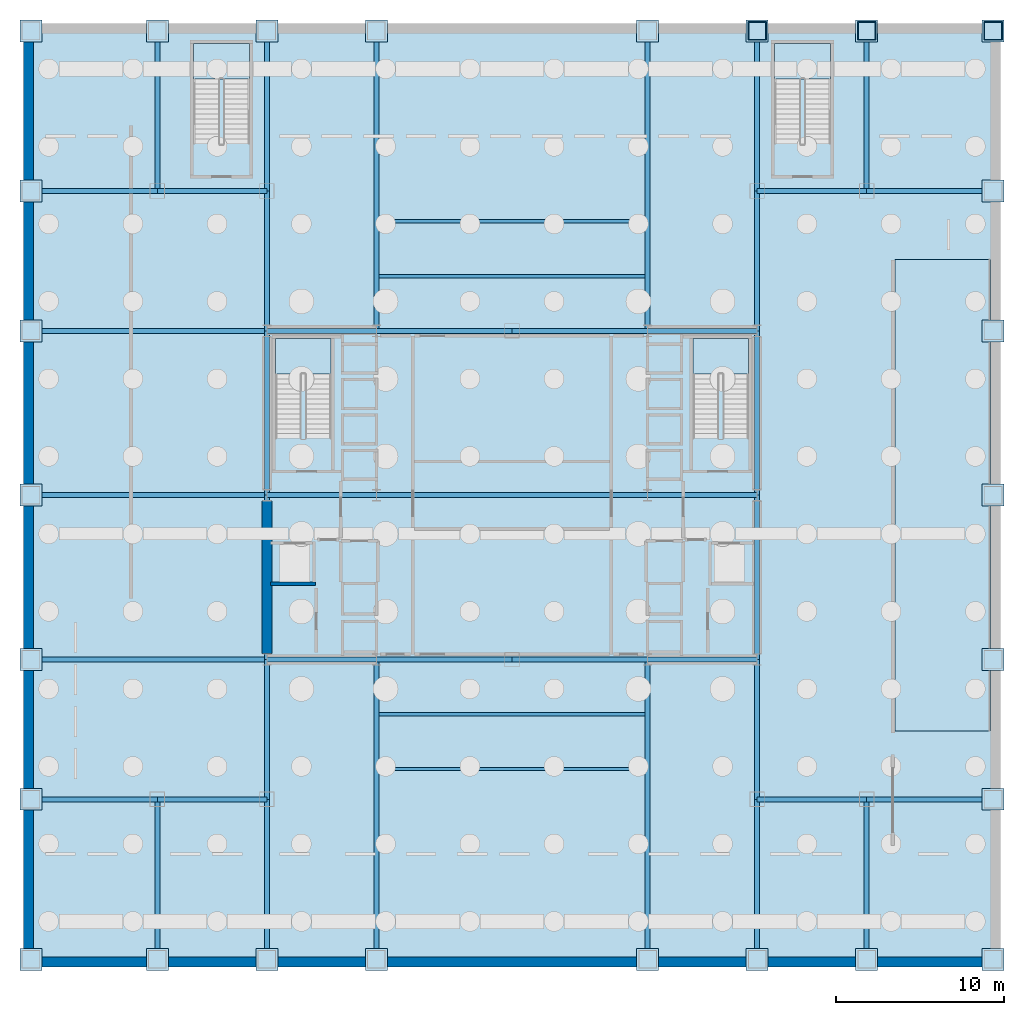
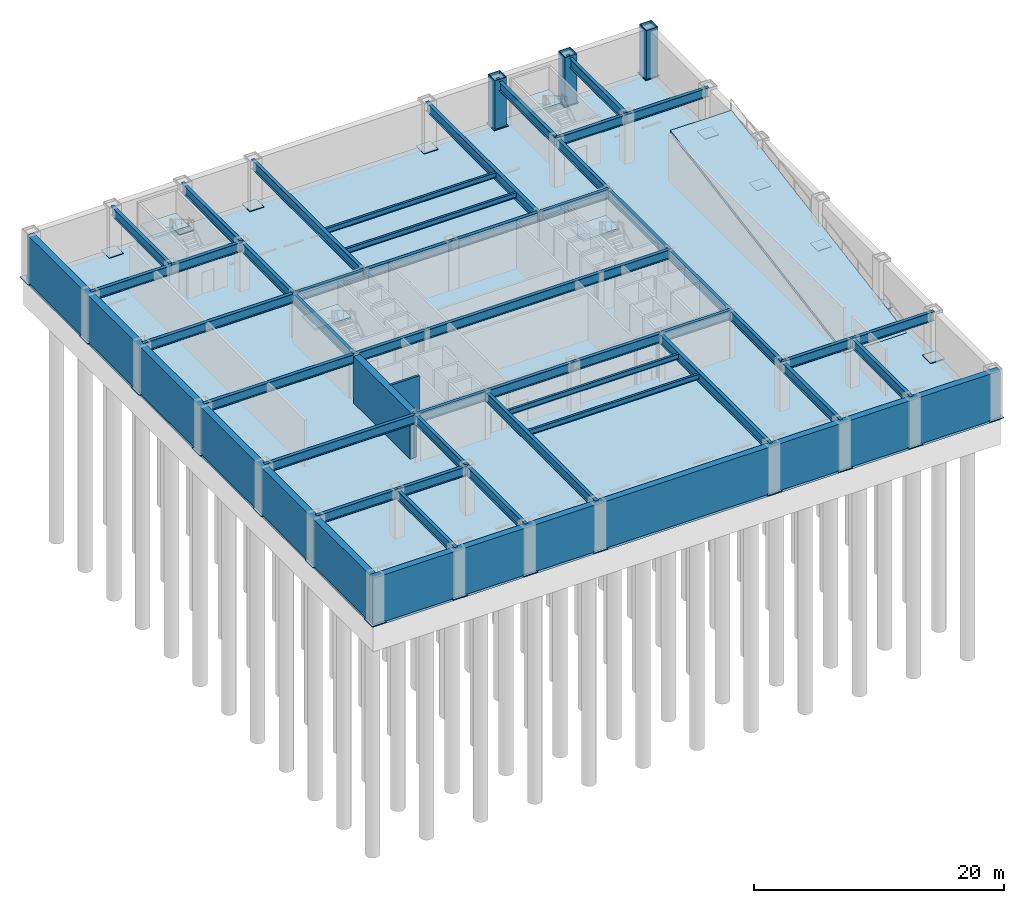
# One storey, part 2 of 8: 46 beams, 26 plates, 6 slabs, 4 walls, 3 columns, 4 elements without a shape of their own.
"""IFC4 building model written with IfcOpenShell, lengths in metres."""

from ifc_helpers import new_model, si_unit, direction, frame, frame_2d, origin, origin_2d, place, context, subcontext, project, spatial, polyline, rectangle, hollow_rectangle, i_section, outline, extrude, material, layer, layer_set, material_profile, profile_set, type_object, element, aggregate, save


model = new_model("IFC4")

# Units and contexts
model_context = context("Model", 3, precision=1e-05, world=origin(), true_north=direction((0.0, 1.0)))
body_context = subcontext(model_context, "Body", "Model", "MODEL_VIEW")
ifc_project = project(units=[si_unit("LENGTHUNIT", "METRE"), si_unit("AREAUNIT", "SQUARE_METRE"), si_unit("VOLUMEUNIT", "CUBIC_METRE"), si_unit("PLANEANGLEUNIT", "RADIAN"), si_unit("MASSUNIT", "GRAM", prefix="KILO")], contexts=[model_context])

# Site, building, storey
site_placement = place(None, origin())
site = spatial("IfcSite", under=ifc_project, at=site_placement, CompositionType="ELEMENT")
building_placement = place(site_placement, origin())
building = spatial("IfcBuilding", under=site, at=building_placement, Name="Brelmoor Portico Tower", CompositionType="ELEMENT")
storey_placement = place(building_placement, frame((0.0, 0.0, -9.60009765625)))
storey = spatial("IfcBuildingStorey", under=building, at=storey_placement, Name="B2", CompositionType="ELEMENT", Elevation=-9.60009765625)

# Columns
ifc_material_1 = material(Name="Steel Q420B", Category="steel")
ifc_material_profile_1 = material_profile(ifc_material_1, hollow_rectangle(XDim=1.10009765625, YDim=1.10009765625, WallThickness=0.054931640625, at=origin_2d()), Name="BOX 1100x1100x55")
ifc_profile_set_1 = profile_set([ifc_material_profile_1], Name="Steel Q420B")
column_type = type_object("IfcColumnType", Name="COL-MEGA-1100", PredefinedType="COLUMN", material=ifc_profile_set_1)
for number, where, z_axis, x_axis, name in (
    (1, (14.550048828125, 27.550048828125, 0.0), (0.0, 0.0, 1.0), (1.0, 0.0, 0.0), "B2 Perimeter Mega-Column PN14"),
    (2, (21.050048828125, 27.550048828125, 0.0), (0.0, 0.0, 1.0), (1.0, 0.0, 0.0), "B2 Perimeter Mega-Column PN15"),
    (3, (28.550048828125, 27.550048828125, 0.0), (0.0, 0.0, 1.0), (1.0, 0.0, 0.0), "B2 Perimeter Mega-Column PN16"),
):
    element("IfcColumn", number, at=place(storey_placement, frame(where, z_axis=z_axis, x_axis=x_axis)), inside=storey, type_object=column_type, Name=name, PredefinedType="COLUMN", context=body_context, shape_type="SweptSolid", body=[
        extrude(hollow_rectangle(XDim=1.10009765625, YDim=1.10009765625, WallThickness=0.054931640625, at=origin_2d()), origin(), (0.0, 0.0, 1.0), 4.800048828125),
    ])

# Beams
ifc_material_2 = material(Name="Steel Q355B", Category="steel")
ifc_material_profile_2 = material_profile(ifc_material_2, i_section(OverallWidth=0.199951171875, OverallDepth=0.5, WebThickness=0.010009765625, FlangeThickness=0.01611328125, at=origin_2d()), Name="HN 500x200x10x16")
ifc_profile_set_2 = profile_set([ifc_material_profile_2], Name="Steel Q355B")
beam_type_1 = type_object("IfcBeamType", Name="BM-JS-500", PredefinedType="JOIST", material=ifc_profile_set_2)
for number, where, z_axis, x_axis, name in (
    (4, (-7.89990234375, -16.25, 4.330078125), (1.0, 0.0, 0.0), (0.0, 1.0, 0.0), "B2 Secondary Composite Joist JS-C01"),
    (5, (-7.89990234375, -13.0, 4.330078125), (1.0, 0.0, 0.0), (0.0, 1.0, 0.0), "B2 Secondary Composite Joist JS-C02"),
    (6, (-7.89990234375, 13.0, 4.330078125), (1.0, 0.0, 0.0), (0.0, 1.0, 0.0), "B2 Secondary Composite Joist JS-C03"),
    (7, (-7.89990234375, 16.25, 4.330078125), (1.0, 0.0, 0.0), (0.0, 1.0, 0.0), "B2 Secondary Composite Joist JS-C04"),
):
    element("IfcBeam", number, at=place(storey_placement, frame(where, z_axis=z_axis, x_axis=x_axis)), inside=storey, type_object=beam_type_1, Name=name, PredefinedType="JOIST", context=body_context, shape_type="SweptSolid", body=[
        extrude(i_section(OverallWidth=0.199951171875, OverallDepth=0.5, WebThickness=0.010009765625, FlangeThickness=0.01611328125, at=origin_2d()), origin(), (0.0, 0.0, 1.0), 15.7998046875),
    ])
ifc_material_profile_3 = material_profile(ifc_material_2, i_section(OverallWidth=0.300048828125, OverallDepth=0.89990234375, WebThickness=0.01611328125, FlangeThickness=0.028076171875, at=origin_2d()), Name="HN 900x300x16x28")
ifc_profile_set_3 = profile_set([ifc_material_profile_3], Name="Steel Q355B")
beam_type_2 = type_object("IfcBeamType", Name="BM-PG-900", PredefinedType="BEAM", material=ifc_profile_set_3)
for number, where, z_axis, x_axis, name in (
    (8, (-21.050048828125, -27.550048828125, 4.130126953125), (0.0, 1.0, 0.0), (-1.0, 0.0, 0.0), "B2 Primary Floor Girder PG-01"),
    (9, (-21.050048828125, 18.050048828125, 4.130126953125), (0.0, 1.0, 0.0), (-1.0, 0.0, 0.0), "B2 Primary Floor Girder PG-02"),
    (10, (-14.550048828125, -27.550048828125, 4.130126953125), (0.0, 1.0, 0.0), (-1.0, 0.0, 0.0), "B2 Primary Floor Girder PG-03"),
):
    element("IfcBeam", number, at=place(storey_placement, frame(where, z_axis=z_axis, x_axis=x_axis)), inside=storey, type_object=beam_type_2, Name=name, PredefinedType="BEAM", context=body_context, shape_type="SweptSolid", body=[
        extrude(i_section(OverallWidth=0.300048828125, OverallDepth=0.89990234375, WebThickness=0.01611328125, FlangeThickness=0.028076171875, at=origin_2d()), origin(), (0.0, 0.0, 1.0), 9.5),
    ])
beam_1_placement = place(storey_placement, frame((-14.550048828125, -18.050048828125, 4.130126953125), z_axis=(0.0, 1.0, 0.0), x_axis=(-1.0, 0.0, 0.0)))
element("IfcBeam", 11, at=beam_1_placement, inside=storey, type_object=beam_type_2, Name="B2 Primary Floor Girder PG-04", PredefinedType="BEAM", context=body_context, shape_type="SweptSolid", body=[
    extrude(i_section(OverallWidth=0.300048828125, OverallDepth=0.89990234375, WebThickness=0.01611328125, FlangeThickness=0.028076171875, at=origin_2d()), origin(), (0.0, 0.0, 1.0), 8.300048828125),
])
for number, where, z_axis, x_axis, name in (
    (12, (-14.550048828125, -9.75, 4.130126953125), (0.0, 1.0, 0.0), (-1.0, 0.0, 0.0), "B2 Primary Floor Girder PG-05"),
    (13, (-14.550048828125, 0.0, 4.130126953125), (0.0, 1.0, 0.0), (-1.0, 0.0, 0.0), "B2 Primary Floor Girder PG-06"),
):
    element("IfcBeam", number, at=place(storey_placement, frame(where, z_axis=z_axis, x_axis=x_axis)), inside=storey, type_object=beam_type_2, Name=name, PredefinedType="BEAM", context=body_context, shape_type="SweptSolid", body=[
        extrude(i_section(OverallWidth=0.300048828125, OverallDepth=0.89990234375, WebThickness=0.01611328125, FlangeThickness=0.028076171875, at=origin_2d()), origin(), (0.0, 0.0, 1.0), 9.75),
    ])
beam_2_placement = place(storey_placement, frame((-14.550048828125, 9.75, 4.130126953125), z_axis=(0.0, 1.0, 0.0), x_axis=(-1.0, 0.0, 0.0)))
element("IfcBeam", 14, at=beam_2_placement, inside=storey, type_object=beam_type_2, Name="B2 Primary Floor Girder PG-07", PredefinedType="BEAM", context=body_context, shape_type="SweptSolid", body=[
    extrude(i_section(OverallWidth=0.300048828125, OverallDepth=0.89990234375, WebThickness=0.01611328125, FlangeThickness=0.028076171875, at=origin_2d()), origin(), (0.0, 0.0, 1.0), 8.300048828125),
])
beam_3_placement = place(storey_placement, frame((-14.550048828125, 18.050048828125, 4.130126953125), z_axis=(0.0, 1.0, 0.0), x_axis=(-1.0, 0.0, 0.0)))
element("IfcBeam", 15, at=beam_3_placement, inside=storey, type_object=beam_type_2, Name="B2 Primary Floor Girder PG-08", PredefinedType="BEAM", context=body_context, shape_type="SweptSolid", body=[
    extrude(i_section(OverallWidth=0.300048828125, OverallDepth=0.89990234375, WebThickness=0.01611328125, FlangeThickness=0.028076171875, at=origin_2d()), origin(), (0.0, 0.0, 1.0), 9.5),
])
for number, where, z_axis, x_axis, name in (
    (16, (-8.050048828125, -27.550048828125, 4.130126953125), (0.0, 1.0, 0.0), (-1.0, 0.0, 0.0), "B2 Primary Floor Girder PG-09"),
    (17, (-8.050048828125, 9.75, 4.130126953125), (0.0, 1.0, 0.0), (-1.0, 0.0, 0.0), "B2 Primary Floor Girder PG-10"),
    (18, (8.050048828125, -27.550048828125, 4.130126953125), (0.0, 1.0, 0.0), (-1.0, 0.0, 0.0), "B2 Primary Floor Girder PG-11"),
    (19, (8.050048828125, 9.75, 4.130126953125), (0.0, 1.0, 0.0), (-1.0, 0.0, 0.0), "B2 Primary Floor Girder PG-12"),
):
    element("IfcBeam", number, at=place(storey_placement, frame(where, z_axis=z_axis, x_axis=x_axis)), inside=storey, type_object=beam_type_2, Name=name, PredefinedType="BEAM", context=body_context, shape_type="SweptSolid", body=[
        extrude(i_section(OverallWidth=0.300048828125, OverallDepth=0.89990234375, WebThickness=0.01611328125, FlangeThickness=0.028076171875, at=origin_2d()), origin(), (0.0, 0.0, 1.0), 17.800048828125),
    ])
beam_4_placement = place(storey_placement, frame((14.550048828125, -27.550048828125, 4.130126953125), z_axis=(0.0, 1.0, 0.0), x_axis=(-1.0, 0.0, 0.0)))
element("IfcBeam", 20, at=beam_4_placement, inside=storey, type_object=beam_type_2, Name="B2 Primary Floor Girder PG-13", PredefinedType="BEAM", context=body_context, shape_type="SweptSolid", body=[
    extrude(i_section(OverallWidth=0.300048828125, OverallDepth=0.89990234375, WebThickness=0.01611328125, FlangeThickness=0.028076171875, at=origin_2d()), origin(), (0.0, 0.0, 1.0), 9.5),
])
beam_5_placement = place(storey_placement, frame((14.550048828125, -18.050048828125, 4.130126953125), z_axis=(0.0, 1.0, 0.0), x_axis=(-1.0, 0.0, 0.0)))
element("IfcBeam", 21, at=beam_5_placement, inside=storey, type_object=beam_type_2, Name="B2 Primary Floor Girder PG-14", PredefinedType="BEAM", context=body_context, shape_type="SweptSolid", body=[
    extrude(i_section(OverallWidth=0.300048828125, OverallDepth=0.89990234375, WebThickness=0.01611328125, FlangeThickness=0.028076171875, at=origin_2d()), origin(), (0.0, 0.0, 1.0), 8.300048828125),
])
for number, where, z_axis, x_axis, name in (
    (22, (14.550048828125, -9.75, 4.130126953125), (0.0, 1.0, 0.0), (-1.0, 0.0, 0.0), "B2 Primary Floor Girder PG-15"),
    (23, (14.550048828125, 0.0, 4.130126953125), (0.0, 1.0, 0.0), (-1.0, 0.0, 0.0), "B2 Primary Floor Girder PG-16"),
):
    element("IfcBeam", number, at=place(storey_placement, frame(where, z_axis=z_axis, x_axis=x_axis)), inside=storey, type_object=beam_type_2, Name=name, PredefinedType="BEAM", context=body_context, shape_type="SweptSolid", body=[
        extrude(i_section(OverallWidth=0.300048828125, OverallDepth=0.89990234375, WebThickness=0.01611328125, FlangeThickness=0.028076171875, at=origin_2d()), origin(), (0.0, 0.0, 1.0), 9.75),
    ])
beam_6_placement = place(storey_placement, frame((14.550048828125, 9.75, 4.130126953125), z_axis=(0.0, 1.0, 0.0), x_axis=(-1.0, 0.0, 0.0)))
element("IfcBeam", 24, at=beam_6_placement, inside=storey, type_object=beam_type_2, Name="B2 Primary Floor Girder PG-17", PredefinedType="BEAM", context=body_context, shape_type="SweptSolid", body=[
    extrude(i_section(OverallWidth=0.300048828125, OverallDepth=0.89990234375, WebThickness=0.01611328125, FlangeThickness=0.028076171875, at=origin_2d()), origin(), (0.0, 0.0, 1.0), 8.300048828125),
])
for number, where, z_axis, x_axis, name in (
    (25, (14.550048828125, 18.050048828125, 4.130126953125), (0.0, 1.0, 0.0), (-1.0, 0.0, 0.0), "B2 Primary Floor Girder PG-18"),
    (26, (21.050048828125, -27.550048828125, 4.130126953125), (0.0, 1.0, 0.0), (-1.0, 0.0, 0.0), "B2 Primary Floor Girder PG-19"),
    (27, (21.050048828125, 18.050048828125, 4.130126953125), (0.0, 1.0, 0.0), (-1.0, 0.0, 0.0), "B2 Primary Floor Girder PG-20"),
):
    element("IfcBeam", number, at=place(storey_placement, frame(where, z_axis=z_axis, x_axis=x_axis)), inside=storey, type_object=beam_type_2, Name=name, PredefinedType="BEAM", context=body_context, shape_type="SweptSolid", body=[
        extrude(i_section(OverallWidth=0.300048828125, OverallDepth=0.89990234375, WebThickness=0.01611328125, FlangeThickness=0.028076171875, at=origin_2d()), origin(), (0.0, 0.0, 1.0), 9.5),
    ])
beam_7_placement = place(storey_placement, frame((-28.550048828125, -18.050048828125, 4.130126953125), z_axis=(1.0, 0.0, 0.0), x_axis=(0.0, 1.0, 0.0)))
element("IfcBeam", 28, at=beam_7_placement, inside=storey, type_object=beam_type_2, Name="B2 Primary Floor Girder PG-21", PredefinedType="BEAM", context=body_context, shape_type="SweptSolid", body=[
    extrude(i_section(OverallWidth=0.300048828125, OverallDepth=0.89990234375, WebThickness=0.01611328125, FlangeThickness=0.028076171875, at=origin_2d()), origin(), (0.0, 0.0, 1.0), 7.5),
])
for number, where, z_axis, x_axis, name in (
    (29, (-21.050048828125, -18.050048828125, 4.130126953125), (1.0, 0.0, 0.0), (0.0, 1.0, 0.0), "B2 Primary Floor Girder PG-22"),
    (30, (14.550048828125, -18.050048828125, 4.130126953125), (1.0, 0.0, 0.0), (0.0, 1.0, 0.0), "B2 Primary Floor Girder PG-23"),
):
    element("IfcBeam", number, at=place(storey_placement, frame(where, z_axis=z_axis, x_axis=x_axis)), inside=storey, type_object=beam_type_2, Name=name, PredefinedType="BEAM", context=body_context, shape_type="SweptSolid", body=[
        extrude(i_section(OverallWidth=0.300048828125, OverallDepth=0.89990234375, WebThickness=0.01611328125, FlangeThickness=0.028076171875, at=origin_2d()), origin(), (0.0, 0.0, 1.0), 6.5),
    ])
beam_8_placement = place(storey_placement, frame((21.050048828125, -18.050048828125, 4.130126953125), z_axis=(1.0, 0.0, 0.0), x_axis=(0.0, 1.0, 0.0)))
element("IfcBeam", 31, at=beam_8_placement, inside=storey, type_object=beam_type_2, Name="B2 Primary Floor Girder PG-24", PredefinedType="BEAM", context=body_context, shape_type="SweptSolid", body=[
    extrude(i_section(OverallWidth=0.300048828125, OverallDepth=0.89990234375, WebThickness=0.01611328125, FlangeThickness=0.028076171875, at=origin_2d()), origin(), (0.0, 0.0, 1.0), 7.5),
])
beam_9_placement = place(storey_placement, frame((-28.550048828125, -9.75, 4.130126953125), z_axis=(1.0, 0.0, 0.0), x_axis=(0.0, 1.0, 0.0)))
element("IfcBeam", 32, at=beam_9_placement, inside=storey, type_object=beam_type_2, Name="B2 Primary Floor Girder PG-25", PredefinedType="BEAM", context=body_context, shape_type="SweptSolid", body=[
    extrude(i_section(OverallWidth=0.300048828125, OverallDepth=0.89990234375, WebThickness=0.01611328125, FlangeThickness=0.028076171875, at=origin_2d()), origin(), (0.0, 0.0, 1.0), 14.0),
])
beam_10_placement = place(storey_placement, frame((-14.550048828125, -9.75, 4.130126953125), z_axis=(1.0, 0.0, 0.0), x_axis=(0.0, 1.0, 0.0)))
element("IfcBeam", 33, at=beam_10_placement, inside=storey, type_object=beam_type_2, Name="B2 Primary Floor Girder PG-26", PredefinedType="BEAM", context=body_context, shape_type="SweptSolid", body=[
    extrude(i_section(OverallWidth=0.300048828125, OverallDepth=0.89990234375, WebThickness=0.01611328125, FlangeThickness=0.028076171875, at=origin_2d()), origin(), (0.0, 0.0, 1.0), 6.5),
])
for number, where, z_axis, x_axis, name in (
    (34, (-8.050048828125, -9.75, 4.130126953125), (1.0, 0.0, 0.0), (0.0, 1.0, 0.0), "B2 Primary Floor Girder PG-27"),
    (35, (0.0, -9.75, 4.130126953125), (1.0, 0.0, 0.0), (0.0, 1.0, 0.0), "B2 Primary Floor Girder PG-28"),
):
    element("IfcBeam", number, at=place(storey_placement, frame(where, z_axis=z_axis, x_axis=x_axis)), inside=storey, type_object=beam_type_2, Name=name, PredefinedType="BEAM", context=body_context, shape_type="SweptSolid", body=[
        extrude(i_section(OverallWidth=0.300048828125, OverallDepth=0.89990234375, WebThickness=0.01611328125, FlangeThickness=0.028076171875, at=origin_2d()), origin(), (0.0, 0.0, 1.0), 8.050048828125),
    ])
beam_11_placement = place(storey_placement, frame((8.050048828125, -9.75, 4.130126953125), z_axis=(1.0, 0.0, 0.0), x_axis=(0.0, 1.0, 0.0)))
element("IfcBeam", 36, at=beam_11_placement, inside=storey, type_object=beam_type_2, Name="B2 Primary Floor Girder PG-29", PredefinedType="BEAM", context=body_context, shape_type="SweptSolid", body=[
    extrude(i_section(OverallWidth=0.300048828125, OverallDepth=0.89990234375, WebThickness=0.01611328125, FlangeThickness=0.028076171875, at=origin_2d()), origin(), (0.0, 0.0, 1.0), 6.5),
])
beam_12_placement = place(storey_placement, frame((-28.550048828125, 0.0, 4.130126953125), z_axis=(1.0, 0.0, 0.0), x_axis=(0.0, 1.0, 0.0)))
element("IfcBeam", 37, at=beam_12_placement, inside=storey, type_object=beam_type_2, Name="B2 Primary Floor Girder PG-30", PredefinedType="BEAM", context=body_context, shape_type="SweptSolid", body=[
    extrude(i_section(OverallWidth=0.300048828125, OverallDepth=0.89990234375, WebThickness=0.01611328125, FlangeThickness=0.028076171875, at=origin_2d()), origin(), (0.0, 0.0, 1.0), 14.0),
])
beam_13_placement = place(storey_placement, frame((-14.550048828125, 0.0, 4.130126953125), z_axis=(1.0, 0.0, 0.0), x_axis=(0.0, 1.0, 0.0)))
element("IfcBeam", 38, at=beam_13_placement, inside=storey, type_object=beam_type_2, Name="B2 Primary Floor Girder PG-31", PredefinedType="BEAM", context=body_context, shape_type="SweptSolid", body=[
    extrude(i_section(OverallWidth=0.300048828125, OverallDepth=0.89990234375, WebThickness=0.01611328125, FlangeThickness=0.028076171875, at=origin_2d()), origin(), (0.0, 0.0, 1.0), 6.5),
])
beam_14_placement = place(storey_placement, frame((-8.050048828125, 0.0, 4.130126953125), z_axis=(1.0, 0.0, 0.0), x_axis=(0.0, 1.0, 0.0)))
element("IfcBeam", 39, at=beam_14_placement, inside=storey, type_object=beam_type_2, Name="B2 Primary Floor Girder PG-32", PredefinedType="BEAM", context=body_context, shape_type="SweptSolid", body=[
    extrude(i_section(OverallWidth=0.300048828125, OverallDepth=0.89990234375, WebThickness=0.01611328125, FlangeThickness=0.028076171875, at=origin_2d()), origin(), (0.0, 0.0, 1.0), 16.10009765625),
])
beam_15_placement = place(storey_placement, frame((8.050048828125, 0.0, 4.130126953125), z_axis=(1.0, 0.0, 0.0), x_axis=(0.0, 1.0, 0.0)))
element("IfcBeam", 40, at=beam_15_placement, inside=storey, type_object=beam_type_2, Name="B2 Primary Floor Girder PG-33", PredefinedType="BEAM", context=body_context, shape_type="SweptSolid", body=[
    extrude(i_section(OverallWidth=0.300048828125, OverallDepth=0.89990234375, WebThickness=0.01611328125, FlangeThickness=0.028076171875, at=origin_2d()), origin(), (0.0, 0.0, 1.0), 6.5),
])
beam_16_placement = place(storey_placement, frame((-28.550048828125, 9.75, 4.130126953125), z_axis=(1.0, 0.0, 0.0), x_axis=(0.0, 1.0, 0.0)))
element("IfcBeam", 41, at=beam_16_placement, inside=storey, type_object=beam_type_2, Name="B2 Primary Floor Girder PG-34", PredefinedType="BEAM", context=body_context, shape_type="SweptSolid", body=[
    extrude(i_section(OverallWidth=0.300048828125, OverallDepth=0.89990234375, WebThickness=0.01611328125, FlangeThickness=0.028076171875, at=origin_2d()), origin(), (0.0, 0.0, 1.0), 14.0),
])
beam_17_placement = place(storey_placement, frame((-14.550048828125, 9.75, 4.130126953125), z_axis=(1.0, 0.0, 0.0), x_axis=(0.0, 1.0, 0.0)))
element("IfcBeam", 42, at=beam_17_placement, inside=storey, type_object=beam_type_2, Name="B2 Primary Floor Girder PG-35", PredefinedType="BEAM", context=body_context, shape_type="SweptSolid", body=[
    extrude(i_section(OverallWidth=0.300048828125, OverallDepth=0.89990234375, WebThickness=0.01611328125, FlangeThickness=0.028076171875, at=origin_2d()), origin(), (0.0, 0.0, 1.0), 6.5),
])
for number, where, z_axis, x_axis, name in (
    (43, (-8.050048828125, 9.75, 4.130126953125), (1.0, 0.0, 0.0), (0.0, 1.0, 0.0), "B2 Primary Floor Girder PG-36"),
    (44, (0.0, 9.75, 4.130126953125), (1.0, 0.0, 0.0), (0.0, 1.0, 0.0), "B2 Primary Floor Girder PG-37"),
):
    element("IfcBeam", number, at=place(storey_placement, frame(where, z_axis=z_axis, x_axis=x_axis)), inside=storey, type_object=beam_type_2, Name=name, PredefinedType="BEAM", context=body_context, shape_type="SweptSolid", body=[
        extrude(i_section(OverallWidth=0.300048828125, OverallDepth=0.89990234375, WebThickness=0.01611328125, FlangeThickness=0.028076171875, at=origin_2d()), origin(), (0.0, 0.0, 1.0), 8.050048828125),
    ])
beam_18_placement = place(storey_placement, frame((8.050048828125, 9.75, 4.130126953125), z_axis=(1.0, 0.0, 0.0), x_axis=(0.0, 1.0, 0.0)))
element("IfcBeam", 45, at=beam_18_placement, inside=storey, type_object=beam_type_2, Name="B2 Primary Floor Girder PG-38", PredefinedType="BEAM", context=body_context, shape_type="SweptSolid", body=[
    extrude(i_section(OverallWidth=0.300048828125, OverallDepth=0.89990234375, WebThickness=0.01611328125, FlangeThickness=0.028076171875, at=origin_2d()), origin(), (0.0, 0.0, 1.0), 6.5),
])
beam_19_placement = place(storey_placement, frame((-28.550048828125, 18.050048828125, 4.130126953125), z_axis=(1.0, 0.0, 0.0), x_axis=(0.0, 1.0, 0.0)))
element("IfcBeam", 46, at=beam_19_placement, inside=storey, type_object=beam_type_2, Name="B2 Primary Floor Girder PG-39", PredefinedType="BEAM", context=body_context, shape_type="SweptSolid", body=[
    extrude(i_section(OverallWidth=0.300048828125, OverallDepth=0.89990234375, WebThickness=0.01611328125, FlangeThickness=0.028076171875, at=origin_2d()), origin(), (0.0, 0.0, 1.0), 7.5),
])
for number, where, z_axis, x_axis, name in (
    (47, (-21.050048828125, 18.050048828125, 4.130126953125), (1.0, 0.0, 0.0), (0.0, 1.0, 0.0), "B2 Primary Floor Girder PG-40"),
    (48, (14.550048828125, 18.050048828125, 4.130126953125), (1.0, 0.0, 0.0), (0.0, 1.0, 0.0), "B2 Primary Floor Girder PG-41"),
):
    element("IfcBeam", number, at=place(storey_placement, frame(where, z_axis=z_axis, x_axis=x_axis)), inside=storey, type_object=beam_type_2, Name=name, PredefinedType="BEAM", context=body_context, shape_type="SweptSolid", body=[
        extrude(i_section(OverallWidth=0.300048828125, OverallDepth=0.89990234375, WebThickness=0.01611328125, FlangeThickness=0.028076171875, at=origin_2d()), origin(), (0.0, 0.0, 1.0), 6.5),
    ])
beam_20_placement = place(storey_placement, frame((21.050048828125, 18.050048828125, 4.130126953125), z_axis=(1.0, 0.0, 0.0), x_axis=(0.0, 1.0, 0.0)))
element("IfcBeam", 49, at=beam_20_placement, inside=storey, type_object=beam_type_2, Name="B2 Primary Floor Girder PG-42", PredefinedType="BEAM", context=body_context, shape_type="SweptSolid", body=[
    extrude(i_section(OverallWidth=0.300048828125, OverallDepth=0.89990234375, WebThickness=0.01611328125, FlangeThickness=0.028076171875, at=origin_2d()), origin(), (0.0, 0.0, 1.0), 7.5),
])

# Plates
ifc_layer_1 = layer(ifc_material_1, 0.06005859375)
ifc_layer_set_1 = layer_set([ifc_layer_1], Name="Steel Q420B")
plate_type = type_object("IfcPlateType", Name="PT-BASE-1300", PredefinedType="USERDEFINED", material=ifc_layer_set_1)
for number, where, z_axis, x_axis, name in (
    (50, (-28.550048828125, -27.550048828125, 0.0), (0.0, 0.0, 1.0), (1.0, 0.0, 0.0), "Mega-Column Base Plate PS01"),
    (51, (-21.050048828125, -27.550048828125, 0.0), (0.0, 0.0, 1.0), (1.0, 0.0, 0.0), "Mega-Column Base Plate PS02"),
    (52, (-14.550048828125, -27.550048828125, 0.0), (0.0, 0.0, 1.0), (1.0, 0.0, 0.0), "Mega-Column Base Plate PS03"),
    (53, (-8.050048828125, -27.550048828125, 0.0), (0.0, 0.0, 1.0), (1.0, 0.0, 0.0), "Mega-Column Base Plate PS04"),
    (54, (8.050048828125, -27.550048828125, 0.0), (0.0, 0.0, 1.0), (1.0, 0.0, 0.0), "Mega-Column Base Plate PS05"),
    (55, (14.550048828125, -27.550048828125, 0.0), (0.0, 0.0, 1.0), (1.0, 0.0, 0.0), "Mega-Column Base Plate PS06"),
    (56, (21.050048828125, -27.550048828125, 0.0), (0.0, 0.0, 1.0), (1.0, 0.0, 0.0), "Mega-Column Base Plate PS07"),
    (57, (28.550048828125, -27.550048828125, 0.0), (0.0, 0.0, 1.0), (1.0, 0.0, 0.0), "Mega-Column Base Plate PS08"),
    (58, (-28.550048828125, 27.550048828125, 0.0), (0.0, 0.0, 1.0), (1.0, 0.0, 0.0), "Mega-Column Base Plate PN09"),
    (59, (-21.050048828125, 27.550048828125, 0.0), (0.0, 0.0, 1.0), (1.0, 0.0, 0.0), "Mega-Column Base Plate PN10"),
    (60, (-14.550048828125, 27.550048828125, 0.0), (0.0, 0.0, 1.0), (1.0, 0.0, 0.0), "Mega-Column Base Plate PN11"),
    (61, (-8.050048828125, 27.550048828125, 0.0), (0.0, 0.0, 1.0), (1.0, 0.0, 0.0), "Mega-Column Base Plate PN12"),
    (62, (8.050048828125, 27.550048828125, 0.0), (0.0, 0.0, 1.0), (1.0, 0.0, 0.0), "Mega-Column Base Plate PN13"),
    (63, (14.550048828125, 27.550048828125, 0.0), (0.0, 0.0, 1.0), (1.0, 0.0, 0.0), "Mega-Column Base Plate PN14"),
    (64, (21.050048828125, 27.550048828125, 0.0), (0.0, 0.0, 1.0), (1.0, 0.0, 0.0), "Mega-Column Base Plate PN15"),
    (65, (28.550048828125, 27.550048828125, 0.0), (0.0, 0.0, 1.0), (1.0, 0.0, 0.0), "Mega-Column Base Plate PN16"),
    (66, (-28.550048828125, -18.050048828125, 0.0), (0.0, 0.0, 1.0), (1.0, 0.0, 0.0), "Mega-Column Base Plate PW17"),
    (67, (28.550048828125, -18.050048828125, 0.0), (0.0, 0.0, 1.0), (1.0, 0.0, 0.0), "Mega-Column Base Plate PE18"),
    (68, (-28.550048828125, -9.75, 0.0), (0.0, 0.0, 1.0), (1.0, 0.0, 0.0), "Mega-Column Base Plate PW19"),
    (69, (28.550048828125, -9.75, 0.0), (0.0, 0.0, 1.0), (1.0, 0.0, 0.0), "Mega-Column Base Plate PE20"),
    (70, (-28.550048828125, 0.0, 0.0), (0.0, 0.0, 1.0), (1.0, 0.0, 0.0), "Mega-Column Base Plate PW21"),
    (71, (28.550048828125, 0.0, 0.0), (0.0, 0.0, 1.0), (1.0, 0.0, 0.0), "Mega-Column Base Plate PE22"),
    (72, (-28.550048828125, 9.75, 0.0), (0.0, 0.0, 1.0), (1.0, 0.0, 0.0), "Mega-Column Base Plate PW23"),
    (73, (28.550048828125, 9.75, 0.0), (0.0, 0.0, 1.0), (1.0, 0.0, 0.0), "Mega-Column Base Plate PE24"),
    (74, (-28.550048828125, 18.050048828125, 0.0), (0.0, 0.0, 1.0), (1.0, 0.0, 0.0), "Mega-Column Base Plate PW25"),
    (75, (28.550048828125, 18.050048828125, 0.0), (0.0, 0.0, 1.0), (1.0, 0.0, 0.0), "Mega-Column Base Plate PE26"),
):
    element("IfcPlate", number, at=place(storey_placement, frame(where, z_axis=z_axis, x_axis=x_axis)), inside=storey, type_object=plate_type, Name=name, ObjectType="BASE PLATE", PredefinedType="USERDEFINED", context=body_context, shape_type="SweptSolid", body=[
        extrude(rectangle(XDim=1.300048828125, YDim=1.300048828125, at=origin_2d()), origin(), (0.0, 0.0, 1.0), 0.06005859375),
    ])

# Slab
ifc_material_3 = material(Name="Concrete C40", Category="concrete")
ifc_layer_2 = layer(ifc_material_3, 0.219970703125)
ifc_layer_set_2 = layer_set([ifc_layer_2], Name="Concrete C40")
slab_type_1 = type_object("IfcSlabType", Name="SL-FLOOR-220", PredefinedType="FLOOR", material=ifc_layer_set_2)
slab_1_placement = place(storey_placement, frame((0.0, 0.0, -0.219970703125)))
element("IfcSlab", 76, at=slab_1_placement, inside=storey, type_object=slab_type_1, Name="B2 Main Structural Floor Slab", PredefinedType="FLOOR", context=body_context, shape_type="SweptSolid", body=[
    extrude(outline(polyline([(-29.0, -28.0), (29.0, -28.0), (29.0, 28.0), (-29.0, 28.0), (-29.0, -28.0)])), origin(), (0.0, 0.0, 1.0), 0.219970703125),
])

# Stair, slab
stair_type_1 = type_object("IfcStairType", Name="ST-CORE-W", PredefinedType="HALF_TURN_STAIR", material=ifc_material_3)
stair_1_placement = place(storey_placement, origin())
stair_1 = element("IfcStair", 77, at=stair_1_placement, inside=storey, type_object=stair_type_1, Name="B2 Protected Core Exit Stair ST-W", PredefinedType="HALF_TURN_STAIR")
ifc_layer_3 = layer(ifc_material_3, 0.179931640625)
ifc_layer_set_3 = layer_set([ifc_layer_3], Name="Concrete C40")
slab_type_2 = type_object("IfcSlabType", Name="SL-LANDING-180", PredefinedType="LANDING", material=ifc_layer_set_3)
slab_2_placement = place(storey_placement, frame((0.0, 0.0, 2.2001953125)))
slab_2 = element("IfcSlab", 78, at=slab_2_placement, type_object=slab_type_2, Name="ST-W landing 1", PredefinedType="LANDING", context=body_context, shape_type="SweptSolid", body=[
    extrude(outline(polyline([(-10.72998046875, 7.18505859375), (-10.72998046875, 9.300048828125), (-14.050048828125, 9.300048828125), (-14.050048828125, 7.18505859375), (-10.72998046875, 7.18505859375)])), origin(), (0.0, 0.0, 1.0), 0.199951171875),
])
aggregate(stair_1, [slab_2])

stair_type_2 = type_object("IfcStairType", Name="ST-CORE-E", PredefinedType="HALF_TURN_STAIR", material=ifc_material_3)
stair_2_placement = place(storey_placement, origin())
stair_2 = element("IfcStair", 79, at=stair_2_placement, inside=storey, type_object=stair_type_2, Name="B2 Protected Core Exit Stair ST-E", PredefinedType="HALF_TURN_STAIR")
slab_3_placement = place(storey_placement, frame((0.0, 0.0, 2.2001953125)))
slab_3 = element("IfcSlab", 80, at=slab_3_placement, type_object=slab_type_2, Name="ST-E landing 1", PredefinedType="LANDING", context=body_context, shape_type="SweptSolid", body=[
    extrude(outline(polyline([(14.050048828125, 7.18505859375), (14.050048828125, 9.300048828125), (10.72998046875, 9.300048828125), (10.72998046875, 7.18505859375), (14.050048828125, 7.18505859375)])), origin(), (0.0, 0.0, 1.0), 0.199951171875),
])
aggregate(stair_2, [slab_3])

stair_type_3 = type_object("IfcStairType", Name="ST-POD-P1", PredefinedType="HALF_TURN_STAIR", material=ifc_material_3)
stair_3_placement = place(storey_placement, origin())
stair_3 = element("IfcStair", 81, at=stair_3_placement, inside=storey, type_object=stair_type_3, Name="B2 Podium Protected Exit Stair ST-P1", PredefinedType="HALF_TURN_STAIR")
slab_4_placement = place(storey_placement, frame((0.0, 0.0, 2.2001953125)))
slab_4 = element("IfcSlab", 82, at=slab_4_placement, type_object=slab_type_2, Name="ST-P1 landing 1", PredefinedType="LANDING", context=body_context, shape_type="SweptSolid", body=[
    extrude(outline(polyline([(-15.580078125, 24.68505859375), (-15.580078125, 26.800048828125), (-18.89990234375, 26.800048828125), (-18.89990234375, 24.68505859375), (-15.580078125, 24.68505859375)])), origin(), (0.0, 0.0, 1.0), 0.199951171875),
])
aggregate(stair_3, [slab_4])

stair_type_4 = type_object("IfcStairType", Name="ST-POD-P2", PredefinedType="HALF_TURN_STAIR", material=ifc_material_3)
stair_4_placement = place(storey_placement, origin())
stair_4 = element("IfcStair", 83, at=stair_4_placement, inside=storey, type_object=stair_type_4, Name="B2 Podium Protected Exit Stair ST-P2", PredefinedType="HALF_TURN_STAIR")
slab_5_placement = place(storey_placement, frame((0.0, 0.0, 2.2001953125)))
slab_5 = element("IfcSlab", 84, at=slab_5_placement, type_object=slab_type_2, Name="ST-P2 landing 1", PredefinedType="LANDING", context=body_context, shape_type="SweptSolid", body=[
    extrude(outline(polyline([(18.89990234375, 24.68505859375), (18.89990234375, 26.800048828125), (15.580078125, 26.800048828125), (15.580078125, 24.68505859375), (18.89990234375, 24.68505859375)])), origin(), (0.0, 0.0, 1.0), 0.199951171875),
])
aggregate(stair_4, [slab_5])

# Slab
ifc_layer_4 = layer(ifc_material_3, 0.25)
ifc_layer_set_4 = layer_set([ifc_layer_4], Name="Concrete C40")
slab_type_3 = type_object("IfcSlabType", Name="SL-RAMP-250", PredefinedType="USERDEFINED", material=ifc_layer_set_4)
slab_6_placement = place(storey_placement, frame((22.719970703125, -14.0, 0.0), z_axis=(0.0, -0.16896548483, 0.985621968574), x_axis=(1.0, 0.0, 0.0)))
element("IfcSlab", 85, at=slab_6_placement, inside=storey, type_object=slab_type_3, Name="B2 Car Park Structural Vehicle Ramp Slab VR-2", ObjectType="VEHICLE RAMP", PredefinedType="USERDEFINED", context=body_context, shape_type="SweptSolid", body=[
    extrude(outline(polyline([(0.0, 0.0), (5.659912109375, 0.0), (5.659912109375, 28.408457697530572), (0.0, 28.408457697530572), (0.0, 0.0)])), origin(), (0.0, -0.16896548483, -0.985621968574), 0.253662109375),
])

# Walls
ifc_material_4 = material(Name="Concrete C60", Category="concrete")
ifc_layer_5 = layer(ifc_material_4, 0.60009765625)
ifc_layer_set_5 = layer_set([ifc_layer_5], Name="Concrete C60")
wall_type_1 = type_object("IfcWallType", Name="WL-CORE-600", PredefinedType="SHEAR", material=ifc_layer_set_5)
wall_1_placement = place(storey_placement, frame((-14.550048828125, -9.39990234375, 0.0), z_axis=(0.0, 0.0, 1.0), x_axis=(0.0, 1.0, 0.0)))
element("IfcWall", 86, at=wall_1_placement, inside=storey, type_object=wall_type_1, Name="B2 WC Outer South Shear Wall", PredefinedType="SHEAR", context=body_context, shape_type="SweptSolid", body=[
    extrude(rectangle(XDim=9.0498046875, YDim=0.60009765625, at=frame_2d((4.52490234375, 0.0))), origin(), (0.0, 0.0, 1.0), 4.580078125),
])
ifc_material_5 = material(Name="Concrete C50", Category="concrete")
ifc_layer_6 = layer(ifc_material_5, 0.60009765625)
ifc_layer_set_6 = layer_set([ifc_layer_6], Name="Concrete C50")
wall_type_2 = type_object("IfcWallType", Name="WL-RET-600", PredefinedType="STANDARD", material=ifc_layer_set_6)
wall_2_placement = place(storey_placement, frame((-29.0, -27.699951171875, 0.0), z_axis=(0.0, 0.0, 1.0), x_axis=(1.0, 0.0, 0.0)))
element("IfcWall", 87, at=wall_2_placement, inside=storey, type_object=wall_type_2, Name="B2 Basement Retaining Wall S", PredefinedType="STANDARD", context=body_context, shape_type="SweptSolid", body=[
    extrude(rectangle(XDim=58.0, YDim=0.60009765625, at=frame_2d((29.0, 0.0))), origin(), (0.0, 0.0, 1.0), 4.580078125),
])
wall_3_placement = place(storey_placement, frame((-28.699951171875, -27.39990234375, 0.0), z_axis=(0.0, 0.0, 1.0), x_axis=(0.0, 1.0, 0.0)))
element("IfcWall", 88, at=wall_3_placement, inside=storey, type_object=wall_type_2, Name="B2 Basement Retaining Wall W", PredefinedType="STANDARD", context=body_context, shape_type="SweptSolid", body=[
    extrude(rectangle(XDim=54.7998046875, YDim=0.60009765625, at=frame_2d((27.39990234375, 0.0))), origin(), (0.0, 0.0, 1.0), 4.580078125),
])
ifc_material_6 = material(Name="Precast Concrete C40", Category="concrete")
ifc_layer_7 = layer(ifc_material_6, 0.18994140625)
ifc_layer_set_7 = layer_set([ifc_layer_7], Name="Precast Concrete C40")
wall_type_3 = type_object("IfcWallType", Name="WL-SHAFT-180", PredefinedType="SOLIDWALL", material=ifc_layer_set_7)
wall_4_placement = place(storey_placement, frame((-14.330078125, -5.2548828125, 0.0), z_axis=(0.0, 0.0, 1.0), x_axis=(1.0, 0.0, 0.0)))
element("IfcWall", 89, at=wall_4_placement, inside=storey, type_object=wall_type_3, Name="B2 Firefighting Lift FF1 South Wall", PredefinedType="SOLIDWALL", context=body_context, shape_type="SweptSolid", body=[
    extrude(rectangle(XDim=2.68017578125, YDim=0.18994140625, at=frame_2d((1.340087890625, 0.0))), origin(), (0.0, 0.0, 1.0), 4.580078125),
])

save(model, "model.ifc")
